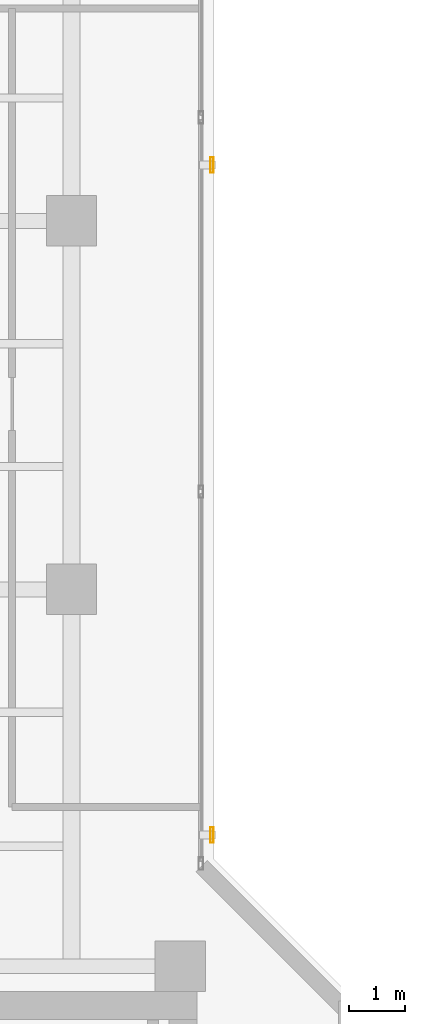
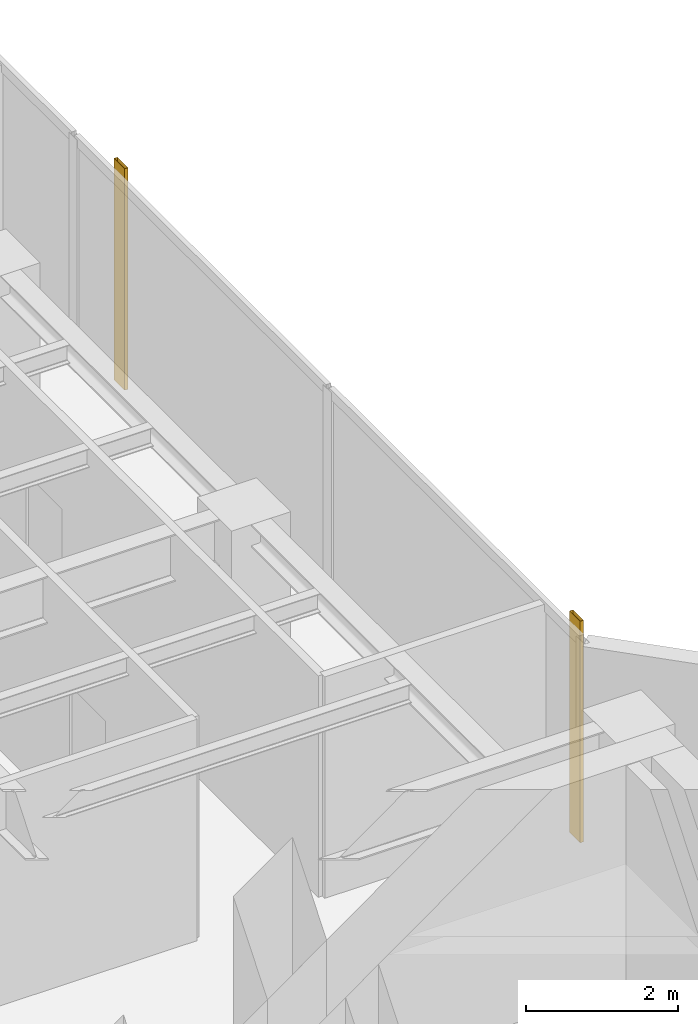
# One storey, part 22 of 22: 2 shading devices.
"""IFC4 building model written with IfcOpenShell, lengths in metres."""

from ifc_helpers import new_model, si_unit, direction, frame, origin, origin_2d, place, context, subcontext, project, spatial, hollow_rectangle, extrude, material, material_profile, profile_set, type_object, element, save


model = new_model("IFC4")

# Units and contexts
model_context = context("Model", 3, precision=1e-05, world=origin(), true_north=direction((0.0, 1.0)))
body_context = subcontext(model_context, "Body", "Model", "MODEL_VIEW")
ifc_project = project(units=[si_unit("LENGTHUNIT", "METRE"), si_unit("AREAUNIT", "SQUARE_METRE"), si_unit("VOLUMEUNIT", "CUBIC_METRE"), si_unit("PLANEANGLEUNIT", "RADIAN"), si_unit("MASSUNIT", "GRAM", prefix="KILO")], contexts=[model_context])

# Site, building, storey
site_placement = place(None, origin())
site = spatial("IfcSite", under=ifc_project, at=site_placement, CompositionType="ELEMENT")
building_placement = place(site_placement, origin())
building = spatial("IfcBuilding", under=site, at=building_placement, Name="Kolvaren Waterfront Exchange", CompositionType="ELEMENT")
storey_placement = place(building_placement, frame((0.0, 0.0, 278.0)))
storey = spatial("IfcBuildingStorey", under=building, at=storey_placement, Name="L71", CompositionType="ELEMENT", Elevation=278.0)

# Shading devices
ifc_material = material(Name="Anodised bronze aluminium 6063-T6", Category="aluminium")
ifc_material_profile = material_profile(ifc_material, hollow_rectangle(XDim=0.054931640625, YDim=0.280029296875, WallThickness=0.00439453125, at=origin_2d()), Name="BRZ-FIN-280x55x4.5")
ifc_profile_set = profile_set([ifc_material_profile], Name="Anodised bronze aluminium 6063-T6")
shading_device_type = type_object("IfcShadingDeviceType", Name="ARC-FIN-280", PredefinedType="USERDEFINED", material=ifc_profile_set)
for number, where, z_axis, x_axis, name in (
    (1, (21.31787109375, 26.800048828125, 0.0), (0.0, 0.0, 1.0), (1.0, 0.0, 0.0), "L71 anodised bronze solar shading fin FIN-L71-E2"),
    (2, (21.31787109375, 38.800048828125, 0.0), (0.0, 0.0, 1.0), (1.0, 0.0, 0.0), "L71 anodised bronze solar shading fin FIN-L71-E3"),
):
    element("IfcShadingDevice", number, at=place(storey_placement, frame(where, z_axis=z_axis, x_axis=x_axis)), inside=storey, type_object=shading_device_type, Name=name, ObjectType="SOLAR FIN", PredefinedType="USERDEFINED", context=body_context, shape_type="SweptSolid", body=[
        extrude(hollow_rectangle(XDim=0.054931640625, YDim=0.280029296875, WallThickness=0.00439453125, at=origin_2d()), origin(), (0.0, 0.0, 1.0), 3.56005859375),
    ])

save(model, "model.ifc")
